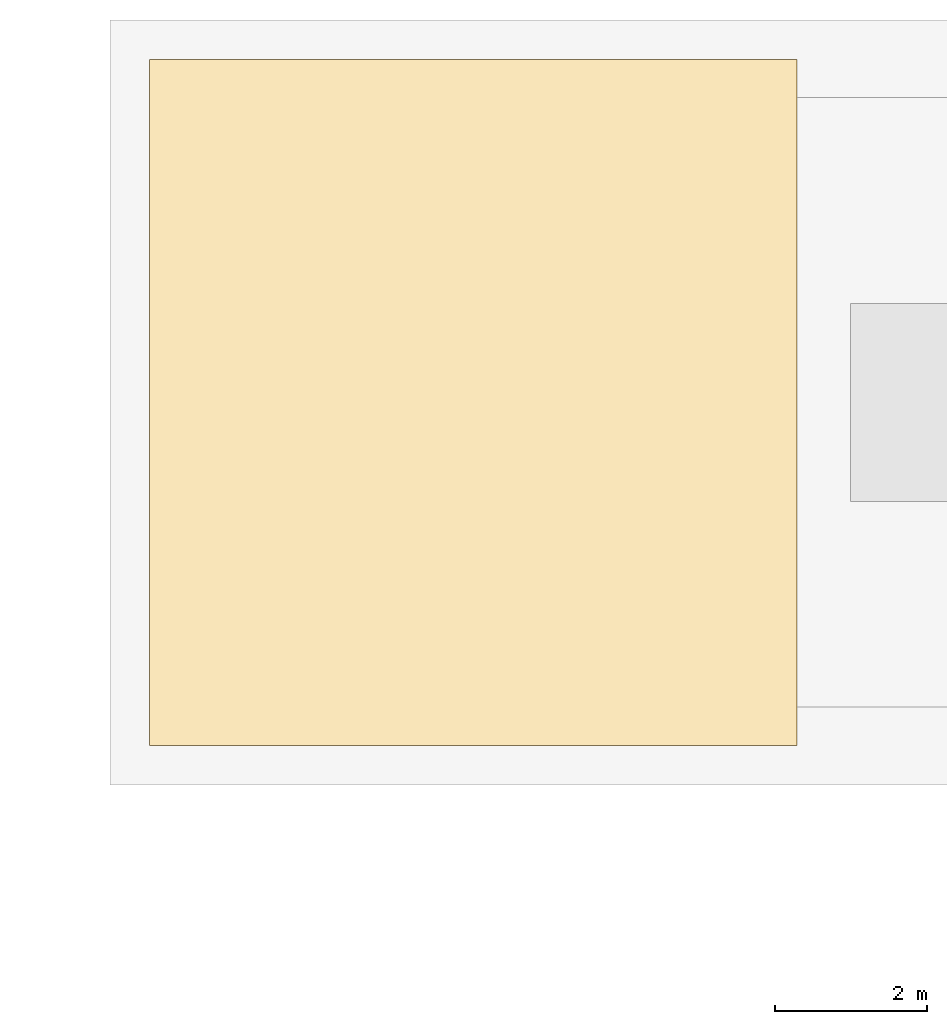
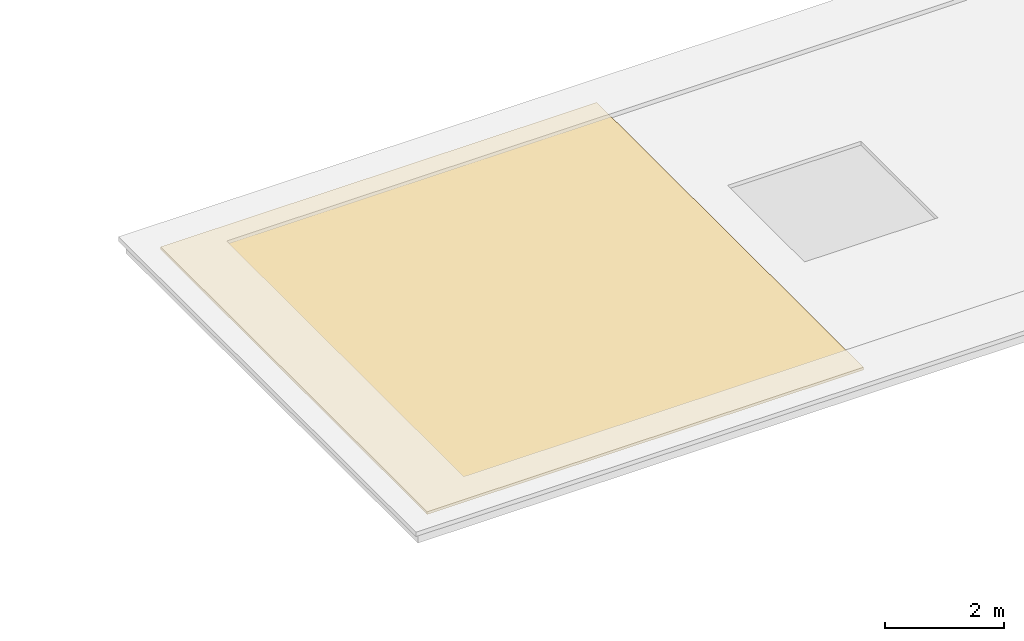
# One storey, part 27 of 27: 1 covering.
"""IFC4 building model written with IfcOpenShell, lengths in metres."""

from ifc_helpers import new_model, si_unit, direction, frame, origin, place, context, subcontext, project, spatial, polyline, outline, extrude, material, layer, layer_set, type_object, element, save


model = new_model("IFC4")

# Units and contexts
model_context = context("Model", 3, precision=1e-05, world=origin(), true_north=direction((0.0, 1.0)))
body_context = subcontext(model_context, "Body", "Model", "MODEL_VIEW")
ifc_project = project(units=[si_unit("LENGTHUNIT", "METRE"), si_unit("AREAUNIT", "SQUARE_METRE"), si_unit("VOLUMEUNIT", "CUBIC_METRE"), si_unit("PLANEANGLEUNIT", "RADIAN"), si_unit("MASSUNIT", "GRAM", prefix="KILO")], contexts=[model_context])

# Site, building, storey
site_placement = place(None, origin())
site = spatial("IfcSite", under=ifc_project, at=site_placement, CompositionType="ELEMENT")
building_placement = place(site_placement, origin())
building = spatial("IfcBuilding", under=site, at=building_placement, Name="Sollismere Congress Hotel", CompositionType="ELEMENT")
storey_placement = place(building_placement, frame((0.0, 0.0, 27.0)))
storey = spatial("IfcBuildingStorey", under=building, at=storey_placement, Name="L06", CompositionType="ELEMENT", Elevation=27.0)

# Covering
ifc_material = material(Name="Standing-Seam Titanium-Zinc Roof Assembly")
ifc_layer = layer(ifc_material, 0.054931640625, Name="Standing-Seam Titanium-Zinc Roof Assembly")
ifc_layer_set = layer_set([ifc_layer], Name="Standing-Seam Titanium-Zinc Roof Assembly")
covering_type = type_object("IfcCoveringType", Name="CV-RFZNC", PredefinedType="ROOFING", material=ifc_layer_set)
covering_placement = place(storey_placement, origin())
element("IfcCovering", 1, at=covering_placement, inside=storey, type_object=covering_type, Name="COV-CV-RF-V2T", PredefinedType="ROOFING", context=body_context, shape_type="SweptSolid", body=[
    extrude(outline(polyline([(63.5, 91.0), (72.0, 91.0), (72.0, 100.0), (63.5, 100.0), (63.5, 91.0)])), origin(), (0.0, 0.0, 1.0), 0.054931640625),
])

save(model, "model.ifc")
